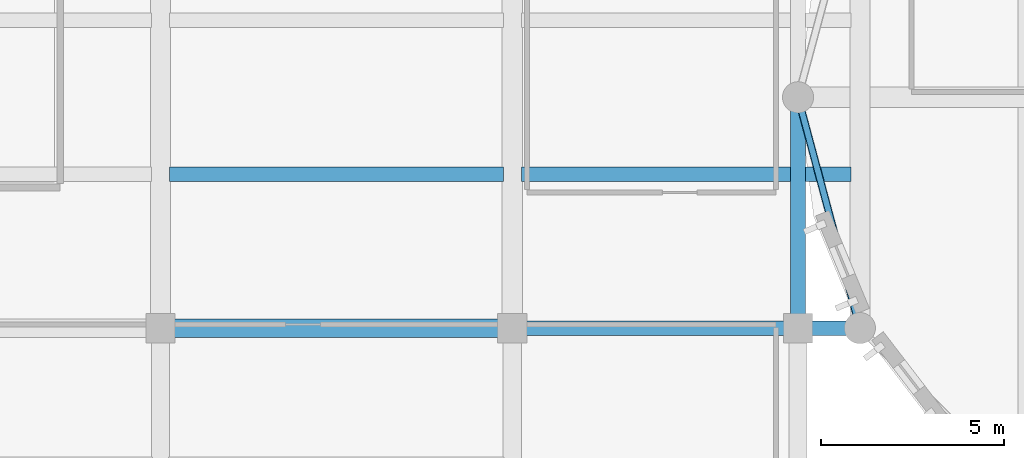
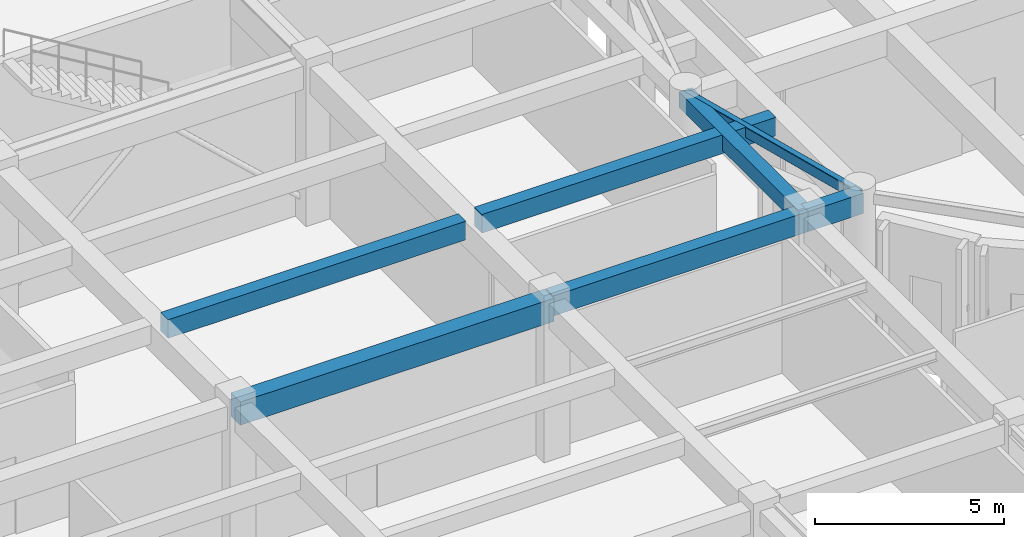
# One storey, part 32 of 98: 7 beams.
"""IFC4 building model written with IfcOpenShell, lengths in metres."""

from ifc_helpers import new_model, si_unit, direction, frame, origin, origin_2d, place, context, subcontext, project, spatial, rectangle, hollow_rectangle, extrude, material, material_profile, profile_set, type_object, element, save


model = new_model("IFC4")

# Units and contexts
model_context = context("Model", 3, precision=1e-05, world=origin(), true_north=direction((0.0, 1.0)))
body_context = subcontext(model_context, "Body", "Model", "MODEL_VIEW")
ifc_project = project(units=[si_unit("LENGTHUNIT", "METRE"), si_unit("AREAUNIT", "SQUARE_METRE"), si_unit("VOLUMEUNIT", "CUBIC_METRE"), si_unit("PLANEANGLEUNIT", "RADIAN"), si_unit("MASSUNIT", "GRAM", prefix="KILO")], contexts=[model_context])

# Site, building, storey
site_placement = place(None, origin())
site = spatial("IfcSite", under=ifc_project, at=site_placement, CompositionType="ELEMENT")
building_placement = place(site_placement, origin())
building = spatial("IfcBuilding", under=site, at=building_placement, Name="Tarnavel Promenade Courthouse", CompositionType="ELEMENT")
storey_placement = place(building_placement, origin())
storey = spatial("IfcBuildingStorey", under=building, at=storey_placement, Name="L01", CompositionType="ELEMENT", Elevation=0.0)

# Beams
ifc_material_1 = material(Name="Concrete C40/50", Category="concrete")
ifc_material_profile_1 = material_profile(ifc_material_1, rectangle(XDim=0.39990234375, YDim=0.60009765625, at=origin_2d()), Name="PT 400x600")
ifc_profile_set_1 = profile_set([ifc_material_profile_1], Name="Concrete C40/50")
beam_type_1 = type_object("IfcBeamType", Name="Concrete C40/50 BM-PT-400x600 (PT 400x600)", PredefinedType="JOIST", material=ifc_profile_set_1)
beam_1_placement = place(storey_placement, frame((29.044921875, 89.699951171875, 4.794921875), z_axis=(1.0, 0.0, 0.0), x_axis=(0.0, 1.0, 0.0)))
element("IfcBeam", 1, at=beam_1_placement, inside=storey, type_object=beam_type_1, Name="L01 Secondary Floor Rib 0967", PredefinedType="JOIST", context=body_context, shape_type="SweptSolid", body=[
    extrude(rectangle(XDim=0.39990234375, YDim=0.60009765625, at=origin_2d()), origin(), (0.0, 0.0, 1.0), 9.110107421875),
])
beam_2_placement = place(storey_placement, frame((38.64501953125, 89.699951171875, 4.8349609375), z_axis=(1.0, 0.0, 0.0), x_axis=(0.0, 1.0, 0.0)))
element("IfcBeam", 2, at=beam_2_placement, inside=storey, type_object=beam_type_1, Name="L01 Secondary Floor Rib 0969", PredefinedType="JOIST", context=body_context, shape_type="SweptSolid", body=[
    extrude(rectangle(XDim=0.39990234375, YDim=0.60009765625, at=origin_2d()), origin(), (0.0, 0.0, 1.0), 8.998046875),
])
ifc_material_profile_2 = material_profile(ifc_material_1, rectangle(XDim=0.39990234375, YDim=0.5, at=origin_2d()), Name="RC 400x500")
ifc_profile_set_2 = profile_set([ifc_material_profile_2], Name="Concrete C40/50")
beam_type_2 = type_object("IfcBeamType", Name="Concrete C40/50 BM-RC-400x500 (RC 400x500)", PredefinedType="BEAM", material=ifc_profile_set_2)
beam_3_placement = place(storey_placement, frame((46.199951171875, 85.5, 4.885009765625), z_axis=(0.0, 1.0, 0.0), x_axis=(-1.0, 0.0, 0.0)))
element("IfcBeam", 3, at=beam_3_placement, inside=storey, type_object=beam_type_2, Name="L01 Transverse Girder 0782", PredefinedType="BEAM", context=body_context, shape_type="SweptSolid", body=[
    extrude(rectangle(XDim=0.39990234375, YDim=0.5, at=origin_2d()), origin(), (0.0, 0.0, 1.0), 6.300048828125),
])
ifc_material_profile_3 = material_profile(ifc_material_1, rectangle(XDim=0.39990234375, YDim=0.64990234375, at=origin_2d()), Name="RC 400x650")
ifc_profile_set_3 = profile_set([ifc_material_profile_3], Name="Concrete C40/50")
beam_type_3 = type_object("IfcBeamType", Name="Concrete C40/50 BM-RC-400x650 (RC 400x650)", PredefinedType="BEAM", material=ifc_profile_set_3)
beam_4_placement = place(storey_placement, frame((38.39990234375, 85.5, 4.81005859375), z_axis=(1.0, 0.0, 0.0), x_axis=(0.0, 1.0, 0.0)))
element("IfcBeam", 4, at=beam_4_placement, inside=storey, type_object=beam_type_3, Name="L01 Primary Longitudinal Beam 0686", PredefinedType="BEAM", context=body_context, shape_type="SweptSolid", body=[
    extrude(rectangle(XDim=0.39990234375, YDim=0.64990234375, at=origin_2d()), origin(), (0.0, 0.0, 1.0), 7.800048828125),
])
beam_5_placement = place(storey_placement, frame((46.199951171875, 85.5, 4.81005859375), z_axis=(1.0, 0.0, 0.0), x_axis=(0.0, 1.0, 0.0)))
element("IfcBeam", 5, at=beam_5_placement, inside=storey, type_object=beam_type_3, Name="L01 Primary Longitudinal Beam 0687", PredefinedType="BEAM", context=body_context, shape_type="SweptSolid", body=[
    extrude(rectangle(XDim=0.39990234375, YDim=0.64990234375, at=origin_2d()), origin(), (0.0, 0.0, 1.0), 1.688232421875),
])
ifc_material_profile_4 = material_profile(ifc_material_1, rectangle(XDim=0.5, YDim=0.75, at=origin_2d()), Name="RC 500x750")
ifc_profile_set_4 = profile_set([ifc_material_profile_4], Name="Concrete C40/50")
beam_type_4 = type_object("IfcBeamType", Name="Concrete C40/50 BM-RC-500x750 (RC 500x750)", PredefinedType="T_BEAM", material=ifc_profile_set_4)
beam_6_placement = place(storey_placement, frame((28.800048828125, 85.5, 4.719970703125), z_axis=(1.0, 0.0, 0.0), x_axis=(0.0, 1.0, 0.0)))
element("IfcBeam", 6, at=beam_6_placement, inside=storey, type_object=beam_type_4, Name="L01 Primary Longitudinal Beam 0685", PredefinedType="T_BEAM", context=body_context, shape_type="SweptSolid", body=[
    extrude(rectangle(XDim=0.5, YDim=0.75, at=origin_2d()), origin(), (0.0, 0.0, 1.0), 9.599853515625),
])
ifc_material_2 = material(Name="Steel S355J2", Category="steel")
ifc_material_profile_5 = material_profile(ifc_material_2, hollow_rectangle(XDim=0.199951171875, YDim=0.35009765625, WallThickness=0.012451171875, InnerFilletRadius=0.012451171875, OuterFilletRadius=0.02490234375, at=origin_2d()), Name="RHS 350x200x12.5")
ifc_profile_set_5 = profile_set([ifc_material_profile_5], Name="Steel S355J2")
beam_type_5 = type_object("IfcBeamType", Name="Steel S355J2 BM-ST-RHS350 (RHS 350x200x12.5)", PredefinedType="SPANDREL", material=ifc_profile_set_5)
beam_7_placement = place(storey_placement, frame((46.199951171875, 91.800048828125, 4.9599609375), z_axis=(0.258838989821, -0.965920481897, 0.0), x_axis=(0.965920481897, 0.258838989821, 0.0)))
element("IfcBeam", 7, at=beam_7_placement, inside=storey, type_object=beam_type_5, Name="L01 Drum Ring Spandrel 1057", PredefinedType="SPANDREL", context=body_context, shape_type="SweptSolid", body=[
    extrude(hollow_rectangle(XDim=0.199951171875, YDim=0.35009765625, WallThickness=0.012451171875, InnerFilletRadius=0.012451171875, OuterFilletRadius=0.02490234375, at=origin_2d()), origin(), (0.0, 0.0, 1.0), 6.522216796875),
])

save(model, "model.ifc")
